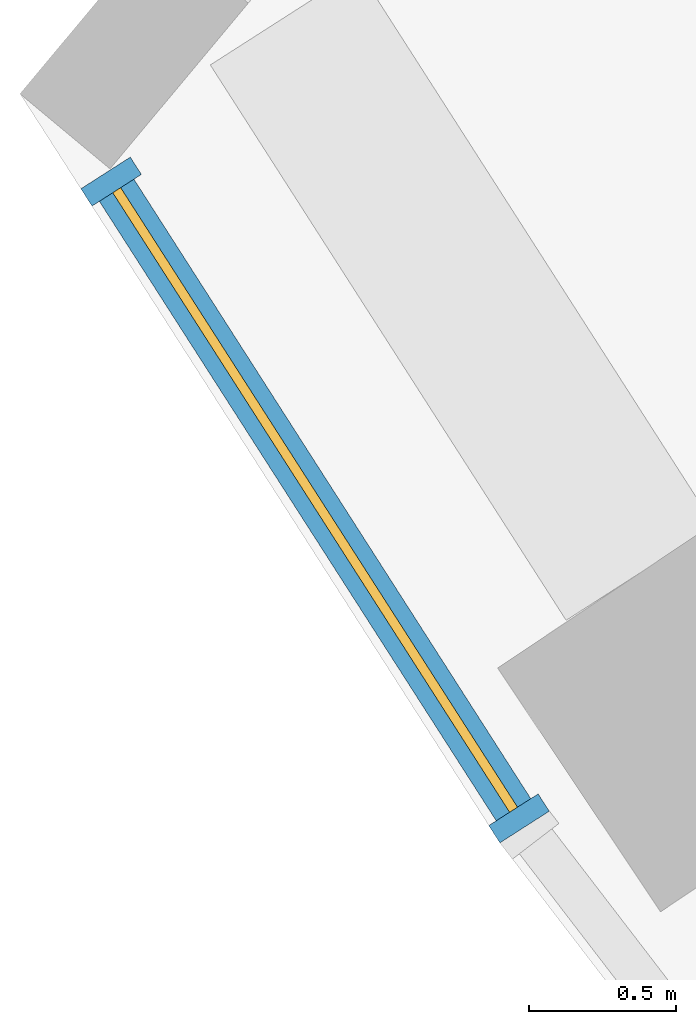
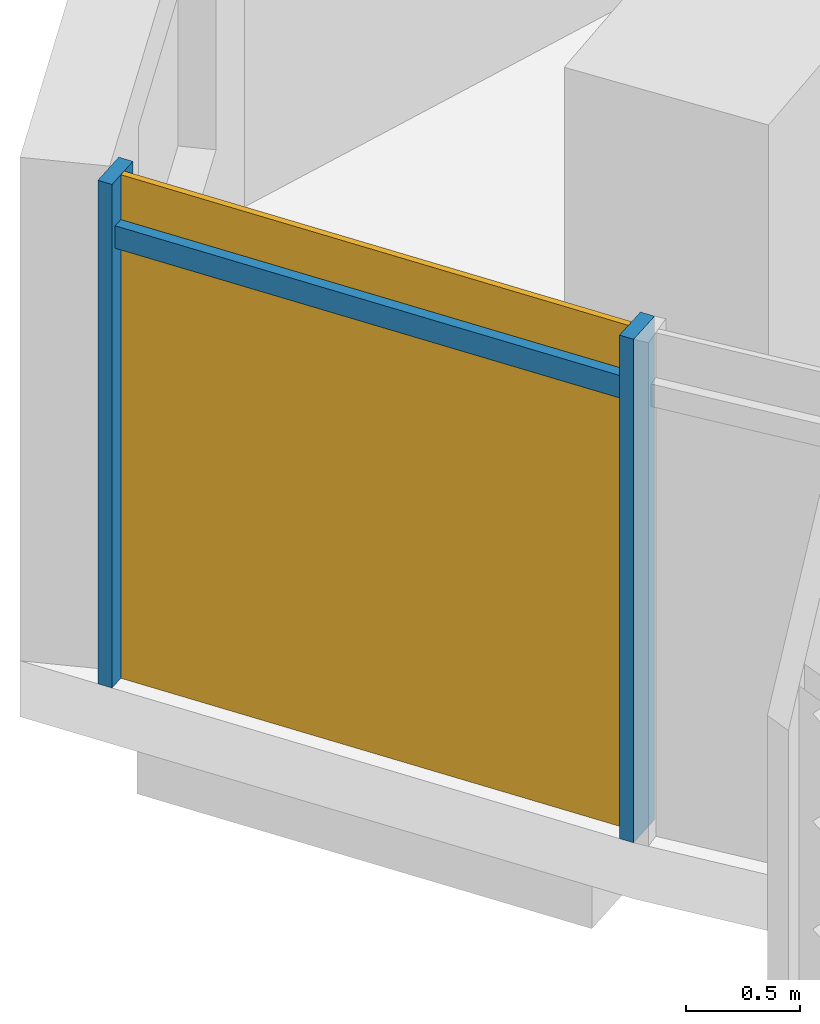
# One storey, part 20 of 28: 3 members, 1 curtain wall.
"""IFC4 building model written with IfcOpenShell, lengths in metres."""

import ifcopenshell
import ifcopenshell.guid

model = None  # the IFC model being written
_history = None  # IfcOwnerHistory: only IFC2X3 demands one
_inside = {}  # id of a spatial element -> (the spatial element, [elements in it])
_under = {}  # id of a project, library or spatial element -> (it, [spatial elements below it])
_declared = {}  # id of a project -> (the project, [libraries it declares])
_typed = {}  # id of a type object -> (the type object, [elements of that type])
_made_of = {}  # id of a material, layer set ... -> (it, [elements and type objects made of it])


def new_model(schema):
    """Start an empty IFC model of exactly this schema.

    Asked for "IFC4X3", IfcOpenShell would pick the latest addendum, in which some entities
    have other attributes; the version numbers below select the first issue.
    IFC2X3 requires an IfcOwnerHistory on every rooted entity: one is made here for all.
    """
    global model, _history
    if schema == "IFC4X3":
        model = ifcopenshell.file(schema_version=(4, 3, 0, 0))
    else:
        model = ifcopenshell.file(schema=schema)
    _inside.clear()
    _under.clear()
    _declared.clear()
    _typed.clear()
    _made_of.clear()
    _history = None
    if model.schema == "IFC2X3":
        org = make("IfcOrganization", Name="unknown")
        user = make(
            "IfcPersonAndOrganization",
            ThePerson=make("IfcPerson", FamilyName="unknown"),
            TheOrganization=org,
        )
        app = make(
            "IfcApplication",
            ApplicationDeveloper=org,
            Version="unknown",
            ApplicationFullName="unknown",
            ApplicationIdentifier="unknown",
        )
        _history = make(
            "IfcOwnerHistory",
            OwningUser=user,
            OwningApplication=app,
            ChangeAction="ADDED",
            CreationDate=0,
        )
    return model


def make(cls, **values):
    """One entity of the class cls with the attributes given. An attribute that is None is left unset."""
    return model.create_entity(
        cls, **{name: value for name, value in values.items() if value is not None}
    )


def rooted(cls, **values):
    """An entity with a GlobalId (a new one), such as an element, a storey or a relation."""
    return make(cls, GlobalId=ifcopenshell.guid.new(), OwnerHistory=_history, **values)


def si_unit(unit_type, name, prefix=None):
    """IfcSIUnit, for example si_unit("LENGTHUNIT", "METRE", prefix="MILLI")."""
    return make("IfcSIUnit", UnitType=unit_type, Prefix=prefix, Name=name)


def assignment(units):
    """IfcUnitAssignment: the units of a project."""
    return None if units is None else make("IfcUnitAssignment", Units=units)


def point(xyz):
    """IfcCartesianPoint."""
    return None if xyz is None else make("IfcCartesianPoint", Coordinates=xyz)


def direction(xyz):
    """IfcDirection."""
    return None if xyz is None else make("IfcDirection", DirectionRatios=xyz)


def frame(location, z_axis=None, x_axis=None):
    """IfcAxis2Placement3D, a coordinate frame: its origin and axes. An axis left out is left unset."""
    return make(
        "IfcAxis2Placement3D",
        Location=point(location),
        Axis=direction(z_axis),
        RefDirection=direction(x_axis),
    )


def frame_2d(location, x_axis=None):
    """IfcAxis2Placement2D, a coordinate frame in the plane: its origin and x axis."""
    return make(
        "IfcAxis2Placement2D", Location=point(location), RefDirection=direction(x_axis)
    )


def origin():
    """The frame at (0, 0, 0) with its axes left unset."""
    return frame((0.0, 0.0, 0.0))


def origin_2d():
    """The frame at (0, 0) in the plane with its x axis left unset."""
    return frame_2d((0.0, 0.0))


def place(relative_to, where):
    """IfcLocalPlacement: puts the frame where relative to a parent placement (None: the world)."""
    return make(
        "IfcLocalPlacement", PlacementRelTo=relative_to, RelativePlacement=where
    )


def context(
    kind, dimensions, precision=None, world=None, true_north=None, identifier=None
):
    """IfcGeometricRepresentationContext, for example the 3D "Model" context."""
    return make(
        "IfcGeometricRepresentationContext",
        ContextIdentifier=identifier,
        ContextType=kind,
        CoordinateSpaceDimension=dimensions,
        Precision=precision,
        WorldCoordinateSystem=world,
        TrueNorth=true_north,
    )


def subcontext(parent, identifier, kind, view, scale=None):
    """IfcGeometricRepresentationSubContext, for example "Body" below "Model"."""
    return make(
        "IfcGeometricRepresentationSubContext",
        ContextIdentifier=identifier,
        ContextType=kind,
        ParentContext=parent,
        TargetScale=scale,
        TargetView=view,
    )


def project(units=None, contexts=None):
    """IfcProject with its units and contexts."""
    return rooted(
        "IfcProject",
        Name="project",
        RepresentationContexts=contexts,
        UnitsInContext=assignment(units),
    )


def spatial(cls, under=None, at=None, **own):
    """A site, building, storey or space (cls), placed at a placement, below another one or the project."""
    s = rooted(cls, ObjectPlacement=at, **own)
    if under is not None:
        _under.setdefault(under.id(), (under, []))[1].append(s)
    return s


def profile(cls, at=None, kind="AREA", **sizes):
    """A parametric profile (cls). Its sizes go by their IFC names, for example OverallWidth=200.0."""
    return make(cls, ProfileType=kind, Position=at, **sizes)


def rectangle(**sizes):
    """IfcRectangleProfileDef."""
    return profile("IfcRectangleProfileDef", **sizes)


def extrude(swept, where, along, depth):
    """IfcExtrudedAreaSolid: the profile swept, set in the frame where, extruded along a direction by depth."""
    return make(
        "IfcExtrudedAreaSolid",
        SweptArea=swept,
        Position=where,
        ExtrudedDirection=direction(along),
        Depth=depth,
    )


def shape(context_of_items, identifier, shape_type, items):
    """IfcShapeRepresentation: the items that make up one representation, for example the "Body"."""
    return make(
        "IfcShapeRepresentation",
        ContextOfItems=context_of_items,
        RepresentationIdentifier=identifier,
        RepresentationType=shape_type,
        Items=items,
    )


def material(Name=None, Category=None):
    """IfcMaterial."""
    return make("IfcMaterial", Name=Name, Category=Category)


def material_profile(
    of_material, cross_section, Name=None, Category=None, Priority=None
):
    """IfcMaterialProfile: a cross section and its material."""
    return make(
        "IfcMaterialProfile",
        Name=Name,
        Material=of_material,
        Profile=cross_section,
        Priority=Priority,
        Category=Category,
    )


def profile_set(profiles, Name=None, composite=None):
    """IfcMaterialProfileSet."""
    return make(
        "IfcMaterialProfileSet",
        Name=Name,
        MaterialProfiles=profiles,
        CompositeProfile=composite,
    )


def made_of(thing, what):
    """Note that an element or type object is made of a material, layer set ...; save() writes the relation."""
    if what is not None:
        _made_of.setdefault(what.id(), (what, []))[1].append(thing)
    return thing


def type_object(cls, material=None, **own):
    """A type object (cls), such as IfcWallType, which elements share."""
    return made_of(rooted(cls, **own), material)


def element(
    cls,
    number,
    at=None,
    inside=None,
    cuts=None,
    type_object=None,
    material=None,
    context=None,
    identifier="Body",
    shape_type=None,
    held_by="IfcProductDefinitionShape",
    body=None,
    shapes=None,
    **own,
):
    """One element of the class cls, such as IfcWall. Its Tag is "e" and its number.

    at: its placement. inside: the storey or other place that contains it. cuts: it is an
    opening in that element (IfcRelVoidsElement). A single representation is given by context,
    identifier, shape_type and body (its items); several are given by shapes. held_by: the class
    of the entity that holds the representations. save() writes the other relations.
    """
    e = rooted(cls, Tag="e%d" % number, ObjectPlacement=at, **own)
    if body is not None:
        shapes = [shape(context, identifier, shape_type, body)]
    if shapes is not None:
        e.Representation = make(held_by, Representations=shapes)
    if inside is not None:
        _inside.setdefault(inside.id(), (inside, []))[1].append(e)
    if cuts is not None:
        rooted(
            "IfcRelVoidsElement", RelatingBuildingElement=cuts, RelatedOpeningElement=e
        )
    if type_object is not None:
        _typed.setdefault(type_object.id(), (type_object, []))[1].append(e)
    return made_of(e, material)


def aggregate(whole, parts):
    """IfcRelAggregates: a whole, such as a stair, and the parts it consists of."""
    return rooted("IfcRelAggregates", RelatingObject=whole, RelatedObjects=parts)


def save(model, path):
    """Write the relations noted so far, then the file.

    IfcRelAggregates (storeys below a building ...), IfcRelContainedInSpatialStructure (elements
    in a storey), IfcRelDefinesByType, IfcRelAssociatesMaterial and IfcRelDeclares: one each for
    every whole, place, type object, material and project.
    """
    for whole, parts in _under.values():
        aggregate(whole, parts)
    for where, things in _inside.values():
        rooted(
            "IfcRelContainedInSpatialStructure",
            RelatedElements=things,
            RelatingStructure=where,
        )
    for kind, things in _typed.values():
        rooted("IfcRelDefinesByType", RelatedObjects=things, RelatingType=kind)
    for what, things in _made_of.values():
        rooted("IfcRelAssociatesMaterial", RelatedObjects=things, RelatingMaterial=what)
    for by, libraries in _declared.values():
        rooted("IfcRelDeclares", RelatingContext=by, RelatedDefinitions=libraries)
    model.write(path)


model = new_model("IFC4")

# Units and contexts
model_context = context("Model", 3, precision=1e-05, world=origin(), true_north=direction((0.0, 1.0)))
body_context = subcontext(model_context, "Body", "Model", "MODEL_VIEW")
ifc_project = project(units=[si_unit("LENGTHUNIT", "METRE"), si_unit("AREAUNIT", "SQUARE_METRE"), si_unit("VOLUMEUNIT", "CUBIC_METRE"), si_unit("PLANEANGLEUNIT", "RADIAN"), si_unit("MASSUNIT", "GRAM", prefix="KILO")], contexts=[model_context])

# Member
ifc_material = material(Name="Aluminium 6063-T6 anodised", Category="aluminium")
ifc_material_profile_1 = material_profile(ifc_material, rectangle(XDim=0.199951171875, YDim=0.070068359375, at=origin_2d()))
ifc_profile_set_1 = profile_set([ifc_material_profile_1], Name="Aluminium 6063-T6 anodised")
member_type_1 = type_object("IfcMemberType", Name="Mullion 70 x 200 aluminium", PredefinedType="MULLION", material=ifc_profile_set_1)
site_placement = place(None, origin())
building_placement = place(site_placement, origin())
storey_placement = place(building_placement, frame((0.0, 0.0, 234.10009765625)))
member_1_placement = place(storey_placement, frame((-66.721435546875, -41.439697265625, 0.0), z_axis=(0.0, 0.0, 1.0), x_axis=(0.842034175149, 0.539424181773, 0.0)))
member_1 = element("IfcMember", 1, at=member_1_placement, type_object=member_type_1, Name="e-cw1-L56-out00/M00", PredefinedType="MULLION", context=body_context, shape_type="SweptSolid", body=[
    extrude(rectangle(XDim=0.199951171875, YDim=0.070068359375, at=origin_2d()), origin(), (0.0, 0.0, 1.0), 2.699951171875),
])

member_2_placement = place(storey_placement, frame((-65.329833984375, -43.6123046875, 0.0), z_axis=(0.0, 0.0, 1.0), x_axis=(0.842034175149, 0.539424181773, 0.0)))
member_2 = element("IfcMember", 2, at=member_2_placement, type_object=member_type_1, Name="e-cw1-L56-out00/M01", PredefinedType="MULLION", context=body_context, shape_type="SweptSolid", body=[
    extrude(rectangle(XDim=0.199951171875, YDim=0.070068359375, at=origin_2d()), origin(), (0.0, 0.0, 1.0), 2.699951171875),
])

ifc_material_profile_2 = material_profile(ifc_material, rectangle(XDim=0.139892578125, YDim=0.1201171875, at=origin_2d()))
ifc_profile_set_2 = profile_set([ifc_material_profile_2], Name="Aluminium 6063-T6 anodised")
member_type_2 = type_object("IfcMemberType", Name="Transom 120 x 140 aluminium", PredefinedType="USERDEFINED", material=ifc_profile_set_2)
member_3_placement = place(storey_placement, frame((-66.70263671875, -41.46923828125, 2.39990234375), z_axis=(0.539434533494, -0.842027543537, 0.0), x_axis=(0.842027543537, 0.539434533494, 0.0)))
member_3 = element("IfcMember", 3, at=member_3_placement, type_object=member_type_2, Name="e-cw1-L56-out00/T00", ObjectType="TRANSOM", PredefinedType="USERDEFINED", context=body_context, shape_type="SweptSolid", body=[
    extrude(rectangle(XDim=0.139892578125, YDim=0.1201171875, at=origin_2d()), origin(), (0.0, 0.0, 1.0), 2.510009765625),
])

# Site, building, storey
site = spatial("IfcSite", under=ifc_project, at=site_placement, CompositionType="ELEMENT")
building = spatial("IfcBuilding", under=site, at=building_placement, Name="Qamariyya Broadcast Tower", CompositionType="ELEMENT")
storey = spatial("IfcBuildingStorey", under=building, at=storey_placement, Name="L56", CompositionType="ELEMENT", Elevation=234.10009765625)

# Curtain wall
curtain_wall_type = type_object("IfcCurtainWallType", Name="Unitised curtain wall, anodised aluminium", PredefinedType="NOTDEFINED", material=ifc_material)
curtain_wall_placement = place(storey_placement, origin())
curtain_wall = element("IfcCurtainWall", 4, at=curtain_wall_placement, inside=storey, type_object=curtain_wall_type, Name="e-cw1-L56-out00", PredefinedType="NOTDEFINED", context=body_context, shape_type="SweptSolid", body=[
    extrude(rectangle(XDim=2.510009765625, YDim=0.031982421875, at=origin_2d()), frame((-66.025390625, -42.52587890625, 0.0), x_axis=(0.539406577988, -0.842045452231, 0.0)), (0.0, 0.0, 1.0), 2.340087890625),
    extrude(rectangle(XDim=2.510009765625, YDim=0.031982421875, at=origin_2d()), frame((-66.025390625, -42.52587890625, 2.4599609375), x_axis=(0.539406577988, -0.842045452231, 0.0)), (0.0, 0.0, 1.0), 0.239990234375),
])

aggregate(curtain_wall, [member_1, member_2, member_3])

save(model, "model.ifc")
